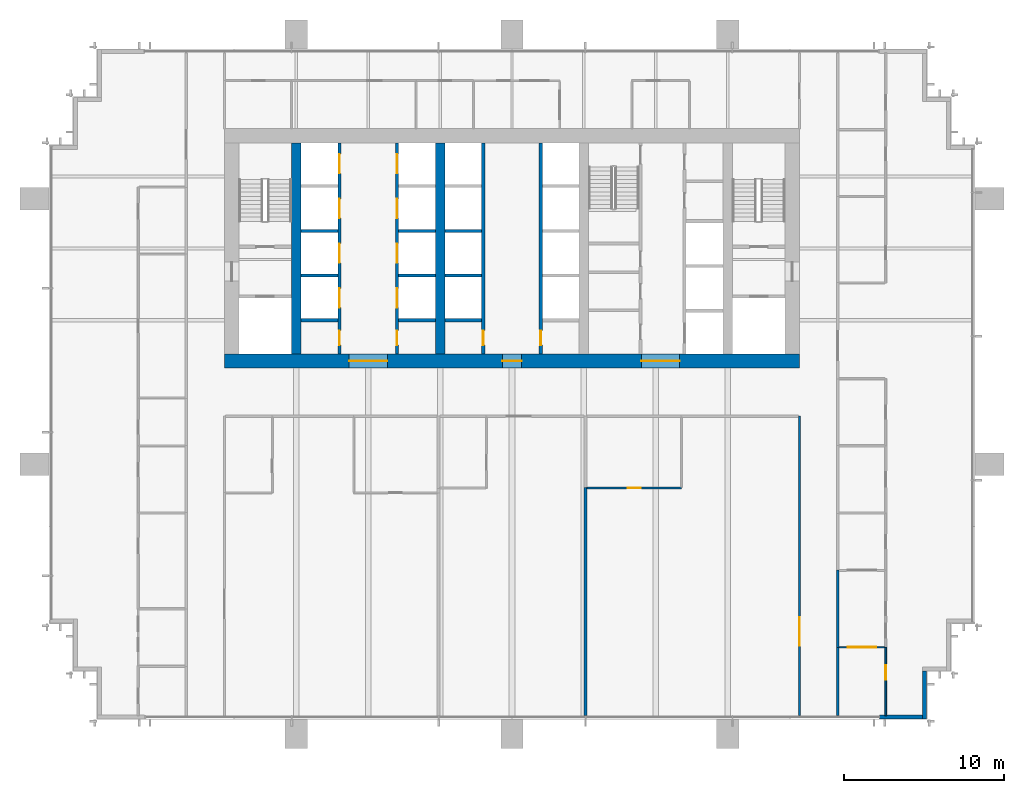
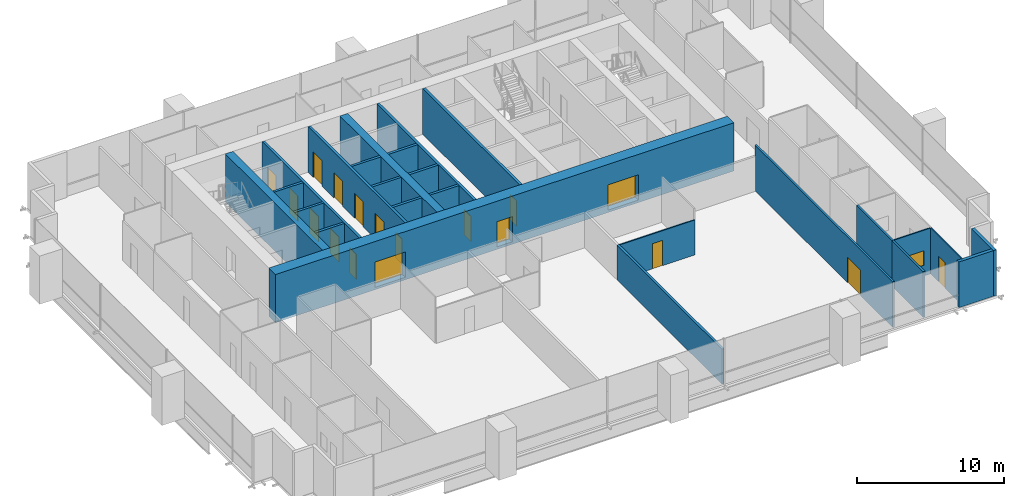
# One storey, part 11 of 15: 25 walls, 18 doors, 1 window, 19 openings.
"""IFC4 building model written with IfcOpenShell, lengths in metres."""

from ifc_helpers import new_model, si_unit, direction, frame, frame_2d, origin, place, context, subcontext, project, spatial, rectangle, extrude, material, layer, layer_set, type_object, element, fill, save


model = new_model("IFC4")

# Units and contexts
model_context = context("Model", 3, precision=1e-05, world=origin(), true_north=direction((0.0, 1.0)))
body_context = subcontext(model_context, "Body", "Model", "MODEL_VIEW")
ifc_project = project(units=[si_unit("LENGTHUNIT", "METRE"), si_unit("AREAUNIT", "SQUARE_METRE"), si_unit("VOLUMEUNIT", "CUBIC_METRE"), si_unit("PLANEANGLEUNIT", "RADIAN"), si_unit("MASSUNIT", "GRAM", prefix="KILO")], contexts=[model_context])

# Site, building, storey
site_placement = place(None, origin())
site = spatial("IfcSite", under=ifc_project, at=site_placement, CompositionType="ELEMENT")
building_placement = place(site_placement, origin())
building = spatial("IfcBuilding", under=site, at=building_placement, Name="Rattan Terrace Tower", CompositionType="ELEMENT")
storey_placement = place(building_placement, frame((0.0, 0.0, 142.10009765625)))
storey = spatial("IfcBuildingStorey", under=building, at=storey_placement, Name="L32", CompositionType="ELEMENT", Elevation=142.10009765625)

# Wall, openings, doors
ifc_material_1 = material(Name="Concrete C60/75", Category="concrete")
ifc_layer_1 = layer(ifc_material_1, 0.89990234375)
ifc_layer_set_1 = layer_set([ifc_layer_1], Name="Core ring wall 900 C60/75")
wall_type_1 = type_object("IfcWallType", Name="Core ring wall 900 C60/75", PredefinedType="SHEAR", material=ifc_layer_set_1)
wall_1_placement = place(storey_placement, frame((-18.0, -7.050048828125, -0.2001953125), z_axis=(0.0, 0.0, 1.0), x_axis=(1.0, 0.0, 0.0)))
wall_1 = element("IfcWall", 1, at=wall_1_placement, inside=storey, type_object=wall_type_1, Name="Rear core wall south", PredefinedType="SHEAR", context=body_context, shape_type="SweptSolid", body=[
    extrude(rectangle(XDim=36.0, YDim=0.89990234375, at=frame_2d((18.0, 0.0))), origin(), (0.0, 0.0, 1.0), 4.0),
])
opening_1_placement = place(wall_1_placement, frame((7.800048828125, 0.0, 0.199951171875)))
opening_1 = element("IfcOpeningElement", 2, at=opening_1_placement, cuts=wall_1, Name="Opening L32-D007", PredefinedType="OPENING", context=body_context, shape_type="SweptSolid", body=[
    extrude(rectangle(XDim=2.39990234375, YDim=2.10009765625, at=frame_2d((1.199951171875, 1.050048828125))), frame((0.0, 0.46044921875, 0.0), z_axis=(0.0, -1.0, 0.0), x_axis=(1.0, 0.0, 0.0)), (0.0, 0.0, 1.0), 0.9208984375),
])
opening_2_placement = place(wall_1_placement, frame((17.39990234375, 0.0, 0.199951171875)))
opening_2 = element("IfcOpeningElement", 3, at=opening_2_placement, cuts=wall_1, Name="Opening L32-D010", PredefinedType="OPENING", context=body_context, shape_type="SweptSolid", body=[
    extrude(rectangle(XDim=1.199951171875, YDim=2.10009765625, at=frame_2d((0.60009765625, 1.050048828125))), frame((0.0, 0.46044921875, 0.0), z_axis=(0.0, -1.0, 0.0), x_axis=(1.0, 0.0, 0.0)), (0.0, 0.0, 1.0), 0.9208984375),
])
opening_3_placement = place(wall_1_placement, frame((26.10009765625, 0.0, 0.199951171875)))
opening_3 = element("IfcOpeningElement", 4, at=opening_3_placement, cuts=wall_1, Name="Opening L32-D015", PredefinedType="OPENING", context=body_context, shape_type="SweptSolid", body=[
    extrude(rectangle(XDim=2.39990234375, YDim=2.10009765625, at=frame_2d((1.199951171875, 1.050048828125))), frame((0.0, 0.46044921875, 0.0), z_axis=(0.0, -1.0, 0.0), x_axis=(1.0, 0.0, 0.0)), (0.0, 0.0, 1.0), 0.9208984375),
])
ifc_material_2 = material(Name="Hollow-metal fire door leaf")
door_type_1 = type_object("IfcDoorType", Name="Core lift lobby door 2400", OperationType="NOTDEFINED", PredefinedType="DOOR", material=ifc_material_2)
door_1_placement = place(opening_1_placement, origin())
door_1 = element("IfcDoor", 5, at=door_1_placement, inside=storey, type_object=door_type_1, Name="Door L32-D007", OperationType="DOUBLE_DOOR_DOUBLE_SWING", OverallHeight=2.10009765625, OverallWidth=2.39990234375, PredefinedType="DOOR", context=body_context, shape_type="SweptSolid", body=[
    extrude(rectangle(XDim=2.39990234375, YDim=2.10009765625, at=frame_2d((1.199951171875, 1.050048828125))), frame((0.0, 0.02490234375, 0.0), z_axis=(0.0, -1.0, 0.0), x_axis=(1.0, 0.0, 0.0)), (0.0, 0.0, 1.0), 0.050048828125),
])
fill(opening_1, door_1)
door_2_placement = place(opening_3_placement, origin())
door_2 = element("IfcDoor", 6, at=door_2_placement, inside=storey, type_object=door_type_1, Name="Door L32-D015", OperationType="DOUBLE_DOOR_DOUBLE_SWING", OverallHeight=2.10009765625, OverallWidth=2.39990234375, PredefinedType="DOOR", context=body_context, shape_type="SweptSolid", body=[
    extrude(rectangle(XDim=2.39990234375, YDim=2.10009765625, at=frame_2d((1.199951171875, 1.050048828125))), frame((0.0, 0.02490234375, 0.0), z_axis=(0.0, -1.0, 0.0), x_axis=(1.0, 0.0, 0.0)), (0.0, 0.0, 1.0), 0.050048828125),
])
fill(opening_3, door_2)
ifc_material_3 = material(Name="Hollow-metal fire door leaf")
door_type_2 = type_object("IfcDoorType", Name="Core riser door 1200", OperationType="NOTDEFINED", PredefinedType="DOOR", material=ifc_material_3)
door_3_placement = place(opening_2_placement, origin())
door_3 = element("IfcDoor", 7, at=door_3_placement, inside=storey, type_object=door_type_2, Name="Door L32-D010", OperationType="SINGLE_SWING_LEFT", OverallHeight=2.10009765625, OverallWidth=1.199951171875, PredefinedType="DOOR", context=body_context, shape_type="SweptSolid", body=[
    extrude(rectangle(XDim=1.199951171875, YDim=2.10009765625, at=frame_2d((0.60009765625, 1.050048828125))), frame((0.0, 0.02490234375, 0.0), z_axis=(0.0, -1.0, 0.0), x_axis=(1.0, 0.0, 0.0)), (0.0, 0.0, 1.0), 0.050048828125),
])
fill(opening_2, door_3)

# Walls
ifc_material_4 = material(Name="Concrete C60/75", Category="concrete")
ifc_layer_2 = layer(ifc_material_4, 0.60009765625)
ifc_layer_set_2 = layer_set([ifc_layer_2], Name="Core spine wall 600 C60/75")
wall_type_2 = type_object("IfcWallType", Name="Core spine wall 600 C60/75", PredefinedType="SHEAR", material=ifc_layer_set_2)
for number, where, z_axis, x_axis, name in (
    (8, (-13.5, -6.60009765625, -0.2001953125), (0.0, 0.0, 1.0), (0.0, 1.0, 0.0), "Core spine wall 1"),
    (9, (-4.5, -6.60009765625, -0.2001953125), (0.0, 0.0, 1.0), (0.0, 1.0, 0.0), "Core spine wall 2"),
):
    element("IfcWall", number, at=place(storey_placement, frame(where, z_axis=z_axis, x_axis=x_axis)), inside=storey, type_object=wall_type_2, Name=name, PredefinedType="SHEAR", context=body_context, shape_type="SweptSolid", body=[
        extrude(rectangle(XDim=13.2001953125, YDim=0.60009765625, at=frame_2d((6.60009765625, 0.0))), origin(), (0.0, 0.0, 1.0), 4.0),
    ])
ifc_material_5 = material(Name="Insulated aluminium-clad stud wall", Category="aluminium")
ifc_layer_3 = layer(ifc_material_5, 0.25)
ifc_layer_set_3 = layer_set([ifc_layer_3], Name="Facade Riser Wall 250")
wall_type_3 = type_object("IfcWallType", Name="Facade Riser Wall 250", PredefinedType="SOLIDWALL", material=ifc_layer_set_3)
wall_2_placement = place(storey_placement, frame((23.0, -29.330078125, 0.0), z_axis=(0.0, 0.0, 1.0), x_axis=(1.0, 0.0, 0.0)))
element("IfcWall", 10, at=wall_2_placement, inside=storey, type_object=wall_type_3, Name="Riser wall L32-1", PredefinedType="SOLIDWALL", context=body_context, shape_type="SweptSolid", body=[
    extrude(rectangle(XDim=2.705078125, YDim=0.25, at=frame_2d((1.3525390625, 0.0))), origin(), (0.0, 0.0, 1.0), 3.7998046875),
])
wall_3_placement = place(storey_placement, frame((25.830078125, -29.455078125, 0.0), z_axis=(0.0, 0.0, 1.0), x_axis=(0.0, 1.0, 0.0)))
element("IfcWall", 11, at=wall_3_placement, inside=storey, type_object=wall_type_3, Name="Riser wall L32-2", PredefinedType="SOLIDWALL", context=body_context, shape_type="SweptSolid", body=[
    extrude(rectangle(XDim=3.0, YDim=0.25, at=frame_2d((1.5, 0.0))), origin(), (0.0, 0.0, 1.0), 3.7998046875),
])
ifc_material_6 = material(Name="Double steel stud acoustic partition, gypsum board, mineral wool, fire rated", Category="steel")
ifc_layer_4 = layer(ifc_material_6, 0.179931640625)
ifc_layer_set_4 = layer_set([ifc_layer_4], Name="Floors Acoustic Party Wall 180")
wall_type_4 = type_object("IfcWallType", Name="Floors Acoustic Party Wall 180", PredefinedType="PARTITIONING", material=ifc_layer_set_4)
wall_4_placement = place(storey_placement, frame((4.60009765625, -14.97998046875, 0.0), z_axis=(0.0, 0.0, 1.0), x_axis=(0.0, -1.0, 0.0)))
element("IfcWall", 12, at=wall_4_placement, inside=storey, type_object=wall_type_4, Name="pt-L32-081", PredefinedType="PARTITIONING", context=body_context, shape_type="SweptSolid", body=[
    extrude(rectangle(XDim=14.260009765625, YDim=0.179931640625, at=frame_2d((7.1298828125, 0.0))), origin(), (0.0, 0.0, 1.0), 2.89990234375),
])

# Wall, opening, door
ifc_material_7 = material(Name="Gypsum board partition on steel studs", Category="steel")
ifc_layer_5 = layer(ifc_material_7, 0.10009765625)
ifc_layer_set_5 = layer_set([ifc_layer_5], Name="Floors Partition 100")
wall_type_5 = type_object("IfcWallType", Name="Floors Partition 100", PredefinedType="PARTITIONING", material=ifc_layer_set_5)
wall_5_placement = place(storey_placement, frame((23.39990234375, -29.239990234375, 0.0), z_axis=(0.0, 0.0, 1.0), x_axis=(0.0, 1.0, 0.0)))
wall_5 = element("IfcWall", 13, at=wall_5_placement, inside=storey, type_object=wall_type_5, Name="pt-L32-045", PredefinedType="PARTITIONING", context=body_context, shape_type="SweptSolid", body=[
    extrude(rectangle(XDim=4.260009765625, YDim=0.10009765625, at=frame_2d((2.1298828125, 0.0))), origin(), (0.0, 0.0, 1.0), 3.7998046875),
])
opening_4_placement = place(wall_5_placement, frame((2.251953125, 0.0, 0.0)))
opening_4 = element("IfcOpeningElement", 14, at=opening_4_placement, cuts=wall_5, Name="Opening L32-D109", PredefinedType="OPENING", context=body_context, shape_type="SweptSolid", body=[
    extrude(rectangle(XDim=0.89990234375, YDim=2.10009765625, at=frame_2d((0.449951171875, 1.050048828125))), frame((0.0, 0.060546875, 0.0), z_axis=(0.0, -1.0, 0.0), x_axis=(1.0, 0.0, 0.0)), (0.0, 0.0, 1.0), 0.12109375),
])
ifc_material_8 = material(Name="Solid core timber door, painted", Category="wood")
door_type_3 = type_object("IfcDoorType", Name="Floors Door 900x2100", OperationType="NOTDEFINED", PredefinedType="DOOR", material=ifc_material_8)
door_4_placement = place(opening_4_placement, origin())
door_4 = element("IfcDoor", 15, at=door_4_placement, inside=storey, type_object=door_type_3, Name="d-L32-109", OperationType="SINGLE_SWING_RIGHT", OverallHeight=2.10009765625, OverallWidth=0.89990234375, PredefinedType="DOOR", context=body_context, shape_type="SweptSolid", body=[
    extrude(rectangle(XDim=0.89990234375, YDim=2.10009765625, at=frame_2d((0.449951171875, 1.050048828125))), frame((0.0, 0.02490234375, 0.0), z_axis=(0.0, -1.0, 0.0), x_axis=(1.0, 0.0, 0.0)), (0.0, 0.0, 1.0), 0.050048828125),
])
fill(opening_4, door_4)

# Wall, opening, window
wall_6_placement = place(storey_placement, frame((20.47509765625, -24.9599609375, 0.0), z_axis=(0.0, 0.0, 1.0), x_axis=(1.0, 0.0, 0.0)))
wall_6 = element("IfcWall", 16, at=wall_6_placement, inside=storey, type_object=wall_type_5, Name="pt-L32-055", PredefinedType="PARTITIONING", context=body_context, shape_type="SweptSolid", body=[
    extrude(rectangle(XDim=2.875, YDim=0.10009765625, at=frame_2d((1.4375, 0.0))), origin(), (0.0, 0.0, 1.0), 3.7998046875),
])
opening_5_placement = place(wall_6_placement, frame((0.537109375, 0.0, 0.89990234375)))
opening_5 = element("IfcOpeningElement", 17, at=opening_5_placement, cuts=wall_6, Name="Opening L32-W102", PredefinedType="OPENING", context=body_context, shape_type="SweptSolid", body=[
    extrude(rectangle(XDim=1.800048828125, YDim=1.199951171875, at=frame_2d((0.89990234375, 0.60009765625))), frame((0.0, 0.060546875, 0.0), z_axis=(0.0, -1.0, 0.0), x_axis=(1.0, 0.0, 0.0)), (0.0, 0.0, 1.0), 0.12109375),
])
ifc_material_9 = material(Name="Glass, clear, fixed in aluminium frame", Category="aluminium")
window_type = type_object("IfcWindowType", Name="Interior Vision Window 1800x1200", PartitioningType="SINGLE_PANEL", PredefinedType="WINDOW", material=ifc_material_9)
window_placement = place(opening_5_placement, origin())
window = element("IfcWindow", 18, at=window_placement, inside=storey, type_object=window_type, Name="w-L32-102", OverallHeight=1.199951171875, OverallWidth=1.800048828125, PartitioningType="SINGLE_PANEL", PredefinedType="WINDOW", context=body_context, shape_type="SweptSolid", body=[
    extrude(rectangle(XDim=1.800048828125, YDim=1.199951171875, at=frame_2d((0.89990234375, 0.60009765625))), frame((0.0, 0.030029296875, 0.0), z_axis=(0.0, -1.0, 0.0), x_axis=(1.0, 0.0, 0.0)), (0.0, 0.0, 1.0), 0.06005859375),
])
fill(opening_5, window)

# Wall, opening, door
wall_7_placement = place(storey_placement, frame((4.68994140625, -15.0, 0.0), z_axis=(0.0, 0.0, 1.0), x_axis=(1.0, 0.0, 0.0)))
wall_7 = element("IfcWall", 19, at=wall_7_placement, inside=storey, type_object=wall_type_5, Name="pt-L32-083", PredefinedType="PARTITIONING", context=body_context, shape_type="SweptSolid", body=[
    extrude(rectangle(XDim=5.91015625, YDim=0.10009765625, at=frame_2d((2.955078125, 0.0))), origin(), (0.0, 0.0, 1.0), 2.89990234375),
])
opening_6_placement = place(wall_7_placement, frame((2.554931640625, 0.0, 0.0)))
opening_6 = element("IfcOpeningElement", 20, at=opening_6_placement, cuts=wall_7, Name="Opening L32-D129", PredefinedType="OPENING", context=body_context, shape_type="SweptSolid", body=[
    extrude(rectangle(XDim=0.800048828125, YDim=2.10009765625, at=frame_2d((0.39990234375, 1.050048828125))), frame((0.0, 0.060546875, 0.0), z_axis=(0.0, -1.0, 0.0), x_axis=(1.0, 0.0, 0.0)), (0.0, 0.0, 1.0), 0.12109375),
])
ifc_material_10 = material(Name="Solid core timber door, painted", Category="wood")
door_type_4 = type_object("IfcDoorType", Name="Floors Store Door 800x2100", OperationType="NOTDEFINED", PredefinedType="DOOR", material=ifc_material_10)
door_5_placement = place(opening_6_placement, origin())
door_5 = element("IfcDoor", 21, at=door_5_placement, inside=storey, type_object=door_type_4, Name="d-L32-129", OperationType="SINGLE_SWING_RIGHT", OverallHeight=2.10009765625, OverallWidth=0.800048828125, PredefinedType="DOOR", context=body_context, shape_type="SweptSolid", body=[
    extrude(rectangle(XDim=0.800048828125, YDim=2.10009765625, at=frame_2d((0.39990234375, 1.050048828125))), frame((0.0, 0.02490234375, 0.0), z_axis=(0.0, -1.0, 0.0), x_axis=(1.0, 0.0, 0.0)), (0.0, 0.0, 1.0), 0.050048828125),
])
fill(opening_6, door_5)

# Walls
ifc_material_11 = material(Name="Gypsum board partition on steel studs, fire rated", Category="steel")
ifc_layer_6 = layer(ifc_material_11, 0.14990234375)
ifc_layer_set_6 = layer_set([ifc_layer_6], Name="Floors Tenancy Wall 150")
wall_type_6 = type_object("IfcWallType", Name="Floors Tenancy Wall 150", PredefinedType="PARTITIONING", material=ifc_layer_set_6)
wall_8_placement = place(storey_placement, frame((20.39990234375, -24.97998046875, 0.0), z_axis=(0.0, 0.0, 1.0), x_axis=(0.0, -1.0, 0.0)))
element("IfcWall", 22, at=wall_8_placement, inside=storey, type_object=wall_type_6, Name="pt-L32-010", PredefinedType="PARTITIONING", context=body_context, shape_type="SweptSolid", body=[
    extrude(rectangle(XDim=4.260009765625, YDim=0.14990234375, at=frame_2d((2.1298828125, 0.0))), origin(), (0.0, 0.0, 1.0), 3.7998046875),
])
wall_9_placement = place(storey_placement, frame((20.39990234375, -20.139892578125, 0.0), z_axis=(0.0, 0.0, 1.0), x_axis=(0.0, -1.0, 0.0)))
element("IfcWall", 23, at=wall_9_placement, inside=storey, type_object=wall_type_6, Name="pt-L32-011", PredefinedType="PARTITIONING", context=body_context, shape_type="SweptSolid", body=[
    extrude(rectangle(XDim=4.840087890625, YDim=0.14990234375, at=frame_2d((2.419921875, 0.0))), origin(), (0.0, 0.0, 1.0), 3.7998046875),
])

# Wall, opening, door
wall_10_placement = place(storey_placement, frame((18.0, -29.239990234375, 0.0), z_axis=(0.0, 0.0, 1.0), x_axis=(0.0, 1.0, 0.0)))
wall_10 = element("IfcWall", 24, at=wall_10_placement, inside=storey, type_object=wall_type_6, Name="pt-L32-029", PredefinedType="PARTITIONING", context=body_context, shape_type="SweptSolid", body=[
    extrude(rectangle(XDim=18.739990234375, YDim=0.14990234375, at=frame_2d((9.3701171875, 0.0))), origin(), (0.0, 0.0, 1.0), 3.7998046875),
])
opening_7_placement = place(wall_10_placement, frame((4.360107421875, 0.0, 0.0)))
opening_7 = element("IfcOpeningElement", 25, at=opening_7_placement, cuts=wall_10, Name="Opening L32-D128", PredefinedType="OPENING", context=body_context, shape_type="SweptSolid", body=[
    extrude(rectangle(XDim=1.800048828125, YDim=2.10009765625, at=frame_2d((0.89990234375, 1.050048828125))), frame((0.0, 0.08544921875, 0.0), z_axis=(0.0, -1.0, 0.0), x_axis=(1.0, 0.0, 0.0)), (0.0, 0.0, 1.0), 0.1708984375),
])
ifc_material_12 = material(Name="Steel fire door set", Category="steel")
door_type_5 = type_object("IfcDoorType", Name="Floors Fire Door Pair FD30S 1800x2100", OperationType="NOTDEFINED", PredefinedType="DOOR", material=ifc_material_12)
door_6_placement = place(opening_7_placement, origin())
door_6 = element("IfcDoor", 26, at=door_6_placement, inside=storey, type_object=door_type_5, Name="d-L32-128", OperationType="DOUBLE_DOOR_SINGLE_SWING", OverallHeight=2.10009765625, OverallWidth=1.800048828125, PredefinedType="DOOR", context=body_context, shape_type="SweptSolid", body=[
    extrude(rectangle(XDim=1.800048828125, YDim=2.10009765625, at=frame_2d((0.89990234375, 1.050048828125))), frame((0.0, 0.02490234375, 0.0), z_axis=(0.0, -1.0, 0.0), x_axis=(1.0, 0.0, 0.0)), (0.0, 0.0, 1.0), 0.050048828125),
])
fill(opening_7, door_6)

# Wall, openings, doors
ifc_material_13 = material(Name="Gypsum shaft wall system")
ifc_layer_7 = layer(ifc_material_13, 0.199951171875)
ifc_layer_set_7 = layer_set([ifc_layer_7], Name="Lift shaft wall 200")
wall_type_7 = type_object("IfcWallType", Name="Lift shaft wall 200", PredefinedType="PARTITIONING", material=ifc_layer_set_7)
wall_11_placement = place(storey_placement, frame((-10.800048828125, -6.60009765625, 0.0), z_axis=(0.0, 0.0, 1.0), x_axis=(0.0, 1.0, 0.0)))
wall_11 = element("IfcWall", 27, at=wall_11_placement, inside=storey, type_object=wall_type_7, Name="Lift shaft front wall", PredefinedType="PARTITIONING", context=body_context, shape_type="SweptSolid", body=[
    extrude(rectangle(XDim=13.2001953125, YDim=0.199951171875, at=frame_2d((6.60009765625, 0.0))), origin(), (0.0, 0.0, 1.0), 3.7998046875),
])
opening_8_placement = place(wall_11_placement, frame((0.550048828125, 0.0, 0.0)))
opening_8 = element("IfcOpeningElement", 28, at=opening_8_placement, cuts=wall_11, Name="Opening L32-D005", PredefinedType="OPENING", context=body_context, shape_type="SweptSolid", body=[
    extrude(rectangle(XDim=0.89990234375, YDim=2.10009765625, at=frame_2d((0.449951171875, 1.050048828125))), frame((0.0, 0.110595703125, 0.0), z_axis=(0.0, -1.0, 0.0), x_axis=(1.0, 0.0, 0.0)), (0.0, 0.0, 1.0), 0.220947265625),
])
opening_9_placement = place(wall_11_placement, frame((2.89990234375, 0.0, 0.0)))
opening_9 = element("IfcOpeningElement", 29, at=opening_9_placement, cuts=wall_11, Name="Opening L32-LD-LR1", PredefinedType="OPENING", context=body_context, shape_type="SweptSolid", body=[
    extrude(rectangle(XDim=1.199951171875, YDim=2.10009765625, at=frame_2d((0.60009765625, 1.050048828125))), frame((0.0, 0.110595703125, 0.0), z_axis=(0.0, -1.0, 0.0), x_axis=(1.0, 0.0, 0.0)), (0.0, 0.0, 1.0), 0.220947265625),
])
opening_10_placement = place(wall_11_placement, frame((5.699951171875, 0.0, 0.0)))
opening_10 = element("IfcOpeningElement", 30, at=opening_10_placement, cuts=wall_11, Name="Opening L32-LD-LR2", PredefinedType="OPENING", context=body_context, shape_type="SweptSolid", body=[
    extrude(rectangle(XDim=1.199951171875, YDim=2.10009765625, at=frame_2d((0.60009765625, 1.050048828125))), frame((0.0, 0.110595703125, 0.0), z_axis=(0.0, -1.0, 0.0), x_axis=(1.0, 0.0, 0.0)), (0.0, 0.0, 1.0), 0.220947265625),
])
opening_11_placement = place(wall_11_placement, frame((8.5, 0.0, 0.0)))
opening_11 = element("IfcOpeningElement", 31, at=opening_11_placement, cuts=wall_11, Name="Opening L32-LD-LR3", PredefinedType="OPENING", context=body_context, shape_type="SweptSolid", body=[
    extrude(rectangle(XDim=1.199951171875, YDim=2.10009765625, at=frame_2d((0.60009765625, 1.050048828125))), frame((0.0, 0.110595703125, 0.0), z_axis=(0.0, -1.0, 0.0), x_axis=(1.0, 0.0, 0.0)), (0.0, 0.0, 1.0), 0.220947265625),
])
opening_12_placement = place(wall_11_placement, frame((11.300048828125, 0.0, 0.0)))
opening_12 = element("IfcOpeningElement", 32, at=opening_12_placement, cuts=wall_11, Name="Opening L32-LD-LR4", PredefinedType="OPENING", context=body_context, shape_type="SweptSolid", body=[
    extrude(rectangle(XDim=1.199951171875, YDim=2.10009765625, at=frame_2d((0.60009765625, 1.050048828125))), frame((0.0, 0.110595703125, 0.0), z_axis=(0.0, -1.0, 0.0), x_axis=(1.0, 0.0, 0.0)), (0.0, 0.0, 1.0), 0.220947265625),
])
ifc_material_14 = material(Name="Brushed stainless landing door panel")
door_type_6 = type_object("IfcDoorType", Name="Core lift landing door 1200", OperationType="DOUBLE_DOOR_SLIDING", PredefinedType="DOOR", material=ifc_material_14)
door_7_placement = place(opening_9_placement, origin())
door_7 = element("IfcDoor", 33, at=door_7_placement, inside=storey, type_object=door_type_6, Name="Door L32-LD-LR1", OperationType="DOUBLE_DOOR_SLIDING", OverallHeight=2.10009765625, OverallWidth=1.199951171875, PredefinedType="DOOR", context=body_context, shape_type="SweptSolid", body=[
    extrude(rectangle(XDim=1.199951171875, YDim=2.10009765625, at=frame_2d((0.60009765625, 1.050048828125))), frame((0.0, 0.02490234375, 0.0), z_axis=(0.0, -1.0, 0.0), x_axis=(1.0, 0.0, 0.0)), (0.0, 0.0, 1.0), 0.050048828125),
])
fill(opening_9, door_7)
door_8_placement = place(opening_10_placement, origin())
door_8 = element("IfcDoor", 34, at=door_8_placement, inside=storey, type_object=door_type_6, Name="Door L32-LD-LR2", OperationType="DOUBLE_DOOR_SLIDING", OverallHeight=2.10009765625, OverallWidth=1.199951171875, PredefinedType="DOOR", context=body_context, shape_type="SweptSolid", body=[
    extrude(rectangle(XDim=1.199951171875, YDim=2.10009765625, at=frame_2d((0.60009765625, 1.050048828125))), frame((0.0, 0.02490234375, 0.0), z_axis=(0.0, -1.0, 0.0), x_axis=(1.0, 0.0, 0.0)), (0.0, 0.0, 1.0), 0.050048828125),
])
fill(opening_10, door_8)
door_9_placement = place(opening_11_placement, origin())
door_9 = element("IfcDoor", 35, at=door_9_placement, inside=storey, type_object=door_type_6, Name="Door L32-LD-LR3", OperationType="DOUBLE_DOOR_SLIDING", OverallHeight=2.10009765625, OverallWidth=1.199951171875, PredefinedType="DOOR", context=body_context, shape_type="SweptSolid", body=[
    extrude(rectangle(XDim=1.199951171875, YDim=2.10009765625, at=frame_2d((0.60009765625, 1.050048828125))), frame((0.0, 0.02490234375, 0.0), z_axis=(0.0, -1.0, 0.0), x_axis=(1.0, 0.0, 0.0)), (0.0, 0.0, 1.0), 0.050048828125),
])
fill(opening_11, door_9)
door_10_placement = place(opening_12_placement, origin())
door_10 = element("IfcDoor", 36, at=door_10_placement, inside=storey, type_object=door_type_6, Name="Door L32-LD-LR4", OperationType="DOUBLE_DOOR_SLIDING", OverallHeight=2.10009765625, OverallWidth=1.199951171875, PredefinedType="DOOR", context=body_context, shape_type="SweptSolid", body=[
    extrude(rectangle(XDim=1.199951171875, YDim=2.10009765625, at=frame_2d((0.60009765625, 1.050048828125))), frame((0.0, 0.02490234375, 0.0), z_axis=(0.0, -1.0, 0.0), x_axis=(1.0, 0.0, 0.0)), (0.0, 0.0, 1.0), 0.050048828125),
])
fill(opening_12, door_10)
ifc_material_15 = material(Name="Hollow-metal fire door leaf")
door_type_7 = type_object("IfcDoorType", Name="Core riser door 900", OperationType="NOTDEFINED", PredefinedType="DOOR", material=ifc_material_15)
door_11_placement = place(opening_8_placement, origin())
door_11 = element("IfcDoor", 37, at=door_11_placement, inside=storey, type_object=door_type_7, Name="Door L32-D005", OperationType="SINGLE_SWING_LEFT", OverallHeight=2.10009765625, OverallWidth=0.89990234375, PredefinedType="DOOR", context=body_context, shape_type="SweptSolid", body=[
    extrude(rectangle(XDim=0.89990234375, YDim=2.10009765625, at=frame_2d((0.449951171875, 1.050048828125))), frame((0.0, 0.02490234375, 0.0), z_axis=(0.0, -1.0, 0.0), x_axis=(1.0, 0.0, 0.0)), (0.0, 0.0, 1.0), 0.050048828125),
])
fill(opening_8, door_11)

wall_12_placement = place(storey_placement, frame((-7.199951171875, -6.60009765625, 0.0), z_axis=(0.0, 0.0, 1.0), x_axis=(0.0, 1.0, 0.0)))
wall_12 = element("IfcWall", 38, at=wall_12_placement, inside=storey, type_object=wall_type_7, Name="Lift shaft front wall", PredefinedType="PARTITIONING", context=body_context, shape_type="SweptSolid", body=[
    extrude(rectangle(XDim=13.2001953125, YDim=0.199951171875, at=frame_2d((6.60009765625, 0.0))), origin(), (0.0, 0.0, 1.0), 3.7998046875),
])
opening_13_placement = place(wall_12_placement, frame((0.550048828125, 0.0, 0.0)))
opening_13 = element("IfcOpeningElement", 39, at=opening_13_placement, cuts=wall_12, Name="Opening L32-D006", PredefinedType="OPENING", context=body_context, shape_type="SweptSolid", body=[
    extrude(rectangle(XDim=0.89990234375, YDim=2.10009765625, at=frame_2d((0.449951171875, 1.050048828125))), frame((0.0, 0.110595703125, 0.0), z_axis=(0.0, -1.0, 0.0), x_axis=(1.0, 0.0, 0.0)), (0.0, 0.0, 1.0), 0.220947265625),
])
opening_14_placement = place(wall_12_placement, frame((2.89990234375, 0.0, 0.0)))
opening_14 = element("IfcOpeningElement", 40, at=opening_14_placement, cuts=wall_12, Name="Opening L32-LD-LR5", PredefinedType="OPENING", context=body_context, shape_type="SweptSolid", body=[
    extrude(rectangle(XDim=1.199951171875, YDim=2.10009765625, at=frame_2d((0.60009765625, 1.050048828125))), frame((0.0, 0.110595703125, 0.0), z_axis=(0.0, -1.0, 0.0), x_axis=(1.0, 0.0, 0.0)), (0.0, 0.0, 1.0), 0.220947265625),
])
opening_15_placement = place(wall_12_placement, frame((5.699951171875, 0.0, 0.0)))
opening_15 = element("IfcOpeningElement", 41, at=opening_15_placement, cuts=wall_12, Name="Opening L32-LD-LR6", PredefinedType="OPENING", context=body_context, shape_type="SweptSolid", body=[
    extrude(rectangle(XDim=1.199951171875, YDim=2.10009765625, at=frame_2d((0.60009765625, 1.050048828125))), frame((0.0, 0.110595703125, 0.0), z_axis=(0.0, -1.0, 0.0), x_axis=(1.0, 0.0, 0.0)), (0.0, 0.0, 1.0), 0.220947265625),
])
opening_16_placement = place(wall_12_placement, frame((8.5, 0.0, 0.0)))
opening_16 = element("IfcOpeningElement", 42, at=opening_16_placement, cuts=wall_12, Name="Opening L32-LD-LR7", PredefinedType="OPENING", context=body_context, shape_type="SweptSolid", body=[
    extrude(rectangle(XDim=1.199951171875, YDim=2.10009765625, at=frame_2d((0.60009765625, 1.050048828125))), frame((0.0, 0.110595703125, 0.0), z_axis=(0.0, -1.0, 0.0), x_axis=(1.0, 0.0, 0.0)), (0.0, 0.0, 1.0), 0.220947265625),
])
opening_17_placement = place(wall_12_placement, frame((11.300048828125, 0.0, 0.0)))
opening_17 = element("IfcOpeningElement", 43, at=opening_17_placement, cuts=wall_12, Name="Opening L32-LD-LR8", PredefinedType="OPENING", context=body_context, shape_type="SweptSolid", body=[
    extrude(rectangle(XDim=1.199951171875, YDim=2.10009765625, at=frame_2d((0.60009765625, 1.050048828125))), frame((0.0, 0.110595703125, 0.0), z_axis=(0.0, -1.0, 0.0), x_axis=(1.0, 0.0, 0.0)), (0.0, 0.0, 1.0), 0.220947265625),
])
door_12_placement = place(opening_14_placement, origin())
door_12 = element("IfcDoor", 44, at=door_12_placement, inside=storey, type_object=door_type_6, Name="Door L32-LD-LR5", OperationType="DOUBLE_DOOR_SLIDING", OverallHeight=2.10009765625, OverallWidth=1.199951171875, PredefinedType="DOOR", context=body_context, shape_type="SweptSolid", body=[
    extrude(rectangle(XDim=1.199951171875, YDim=2.10009765625, at=frame_2d((0.60009765625, 1.050048828125))), frame((0.0, 0.02490234375, 0.0), z_axis=(0.0, -1.0, 0.0), x_axis=(1.0, 0.0, 0.0)), (0.0, 0.0, 1.0), 0.050048828125),
])
fill(opening_14, door_12)
door_13_placement = place(opening_15_placement, origin())
door_13 = element("IfcDoor", 45, at=door_13_placement, inside=storey, type_object=door_type_6, Name="Door L32-LD-LR6", OperationType="DOUBLE_DOOR_SLIDING", OverallHeight=2.10009765625, OverallWidth=1.199951171875, PredefinedType="DOOR", context=body_context, shape_type="SweptSolid", body=[
    extrude(rectangle(XDim=1.199951171875, YDim=2.10009765625, at=frame_2d((0.60009765625, 1.050048828125))), frame((0.0, 0.02490234375, 0.0), z_axis=(0.0, -1.0, 0.0), x_axis=(1.0, 0.0, 0.0)), (0.0, 0.0, 1.0), 0.050048828125),
])
fill(opening_15, door_13)
door_14_placement = place(opening_16_placement, origin())
door_14 = element("IfcDoor", 46, at=door_14_placement, inside=storey, type_object=door_type_6, Name="Door L32-LD-LR7", OperationType="DOUBLE_DOOR_SLIDING", OverallHeight=2.10009765625, OverallWidth=1.199951171875, PredefinedType="DOOR", context=body_context, shape_type="SweptSolid", body=[
    extrude(rectangle(XDim=1.199951171875, YDim=2.10009765625, at=frame_2d((0.60009765625, 1.050048828125))), frame((0.0, 0.02490234375, 0.0), z_axis=(0.0, -1.0, 0.0), x_axis=(1.0, 0.0, 0.0)), (0.0, 0.0, 1.0), 0.050048828125),
])
fill(opening_16, door_14)
door_15_placement = place(opening_17_placement, origin())
door_15 = element("IfcDoor", 47, at=door_15_placement, inside=storey, type_object=door_type_6, Name="Door L32-LD-LR8", OperationType="DOUBLE_DOOR_SLIDING", OverallHeight=2.10009765625, OverallWidth=1.199951171875, PredefinedType="DOOR", context=body_context, shape_type="SweptSolid", body=[
    extrude(rectangle(XDim=1.199951171875, YDim=2.10009765625, at=frame_2d((0.60009765625, 1.050048828125))), frame((0.0, 0.02490234375, 0.0), z_axis=(0.0, -1.0, 0.0), x_axis=(1.0, 0.0, 0.0)), (0.0, 0.0, 1.0), 0.050048828125),
])
fill(opening_17, door_15)
door_16_placement = place(opening_13_placement, origin())
door_16 = element("IfcDoor", 48, at=door_16_placement, inside=storey, type_object=door_type_7, Name="Door L32-D006", OperationType="SINGLE_SWING_RIGHT", OverallHeight=2.10009765625, OverallWidth=0.89990234375, PredefinedType="DOOR", context=body_context, shape_type="SweptSolid", body=[
    extrude(rectangle(XDim=0.89990234375, YDim=2.10009765625, at=frame_2d((0.449951171875, 1.050048828125))), frame((0.0, 0.02490234375, 0.0), z_axis=(0.0, -1.0, 0.0), x_axis=(1.0, 0.0, 0.0)), (0.0, 0.0, 1.0), 0.050048828125),
])
fill(opening_13, door_16)

# Walls
for number, where, z_axis, x_axis, name in (
    (49, (-13.199951171875, -1.699951171875, 0.0), (0.0, 0.0, 1.0), (1.0, 0.0, 0.0), "Lift shaft wall"),
    (50, (-13.199951171875, 1.10009765625, 0.0), (0.0, 0.0, 1.0), (1.0, 0.0, 0.0), "Lift shaft wall"),
    (51, (-13.199951171875, -4.5, 0.0), (0.0, 0.0, 1.0), (1.0, 0.0, 0.0), "Lift shaft wall"),
    (52, (-7.10009765625, -1.699951171875, 0.0), (0.0, 0.0, 1.0), (1.0, 0.0, 0.0), "Lift shaft wall"),
    (53, (-7.10009765625, 1.10009765625, 0.0), (0.0, 0.0, 1.0), (1.0, 0.0, 0.0), "Lift shaft wall"),
    (54, (-7.10009765625, -4.5, 0.0), (0.0, 0.0, 1.0), (1.0, 0.0, 0.0), "Lift shaft wall"),
):
    element("IfcWall", number, at=place(storey_placement, frame(where, z_axis=z_axis, x_axis=x_axis)), inside=storey, type_object=wall_type_7, Name=name, PredefinedType="PARTITIONING", context=body_context, shape_type="SweptSolid", body=[
        extrude(rectangle(XDim=2.300048828125, YDim=0.199951171875, at=frame_2d((1.14990234375, 0.0))), origin(), (0.0, 0.0, 1.0), 3.7998046875),
    ])

# Wall, opening, door
wall_13_placement = place(storey_placement, frame((-1.800048828125, -6.60009765625, 0.0), z_axis=(0.0, 0.0, 1.0), x_axis=(0.0, 1.0, 0.0)))
wall_13 = element("IfcWall", 55, at=wall_13_placement, inside=storey, type_object=wall_type_7, Name="Lift shaft front wall", PredefinedType="PARTITIONING", context=body_context, shape_type="SweptSolid", body=[
    extrude(rectangle(XDim=13.2001953125, YDim=0.199951171875, at=frame_2d((6.60009765625, 0.0))), origin(), (0.0, 0.0, 1.0), 3.7998046875),
])
opening_18_placement = place(wall_13_placement, frame((0.550048828125, 0.0, 0.0)))
opening_18 = element("IfcOpeningElement", 56, at=opening_18_placement, cuts=wall_13, Name="Opening L32-D008", PredefinedType="OPENING", context=body_context, shape_type="SweptSolid", body=[
    extrude(rectangle(XDim=0.89990234375, YDim=2.10009765625, at=frame_2d((0.449951171875, 1.050048828125))), frame((0.0, 0.110595703125, 0.0), z_axis=(0.0, -1.0, 0.0), x_axis=(1.0, 0.0, 0.0)), (0.0, 0.0, 1.0), 0.220947265625),
])
door_17_placement = place(opening_18_placement, origin())
door_17 = element("IfcDoor", 57, at=door_17_placement, inside=storey, type_object=door_type_7, Name="Door L32-D008", OperationType="SINGLE_SWING_LEFT", OverallHeight=2.10009765625, OverallWidth=0.89990234375, PredefinedType="DOOR", context=body_context, shape_type="SweptSolid", body=[
    extrude(rectangle(XDim=0.89990234375, YDim=2.10009765625, at=frame_2d((0.449951171875, 1.050048828125))), frame((0.0, 0.02490234375, 0.0), z_axis=(0.0, -1.0, 0.0), x_axis=(1.0, 0.0, 0.0)), (0.0, 0.0, 1.0), 0.050048828125),
])
fill(opening_18, door_17)

wall_14_placement = place(storey_placement, frame((1.800048828125, -6.60009765625, 0.0), z_axis=(0.0, 0.0, 1.0), x_axis=(0.0, 1.0, 0.0)))
wall_14 = element("IfcWall", 58, at=wall_14_placement, inside=storey, type_object=wall_type_7, Name="Lift shaft front wall", PredefinedType="PARTITIONING", context=body_context, shape_type="SweptSolid", body=[
    extrude(rectangle(XDim=13.2001953125, YDim=0.199951171875, at=frame_2d((6.60009765625, 0.0))), origin(), (0.0, 0.0, 1.0), 3.7998046875),
])
opening_19_placement = place(wall_14_placement, frame((0.550048828125, 0.0, 0.0)))
opening_19 = element("IfcOpeningElement", 59, at=opening_19_placement, cuts=wall_14, Name="Opening L32-D009", PredefinedType="OPENING", context=body_context, shape_type="SweptSolid", body=[
    extrude(rectangle(XDim=0.89990234375, YDim=2.10009765625, at=frame_2d((0.449951171875, 1.050048828125))), frame((0.0, 0.110595703125, 0.0), z_axis=(0.0, -1.0, 0.0), x_axis=(1.0, 0.0, 0.0)), (0.0, 0.0, 1.0), 0.220947265625),
])
door_18_placement = place(opening_19_placement, origin())
door_18 = element("IfcDoor", 60, at=door_18_placement, inside=storey, type_object=door_type_7, Name="Door L32-D009", OperationType="SINGLE_SWING_RIGHT", OverallHeight=2.10009765625, OverallWidth=0.89990234375, PredefinedType="DOOR", context=body_context, shape_type="SweptSolid", body=[
    extrude(rectangle(XDim=0.89990234375, YDim=2.10009765625, at=frame_2d((0.449951171875, 1.050048828125))), frame((0.0, 0.02490234375, 0.0), z_axis=(0.0, -1.0, 0.0), x_axis=(1.0, 0.0, 0.0)), (0.0, 0.0, 1.0), 0.050048828125),
])
fill(opening_19, door_18)

# Walls
for number, where, z_axis, x_axis, name in (
    (61, (-4.199951171875, -1.699951171875, 0.0), (0.0, 0.0, 1.0), (1.0, 0.0, 0.0), "Lift shaft wall"),
    (62, (-4.199951171875, 1.10009765625, 0.0), (0.0, 0.0, 1.0), (1.0, 0.0, 0.0), "Lift shaft wall"),
    (63, (-4.199951171875, -4.5, 0.0), (0.0, 0.0, 1.0), (1.0, 0.0, 0.0), "Lift shaft wall"),
):
    element("IfcWall", number, at=place(storey_placement, frame(where, z_axis=z_axis, x_axis=x_axis)), inside=storey, type_object=wall_type_7, Name=name, PredefinedType="PARTITIONING", context=body_context, shape_type="SweptSolid", body=[
        extrude(rectangle(XDim=2.300048828125, YDim=0.199951171875, at=frame_2d((1.14990234375, 0.0))), origin(), (0.0, 0.0, 1.0), 3.7998046875),
    ])

save(model, "model.ifc")
